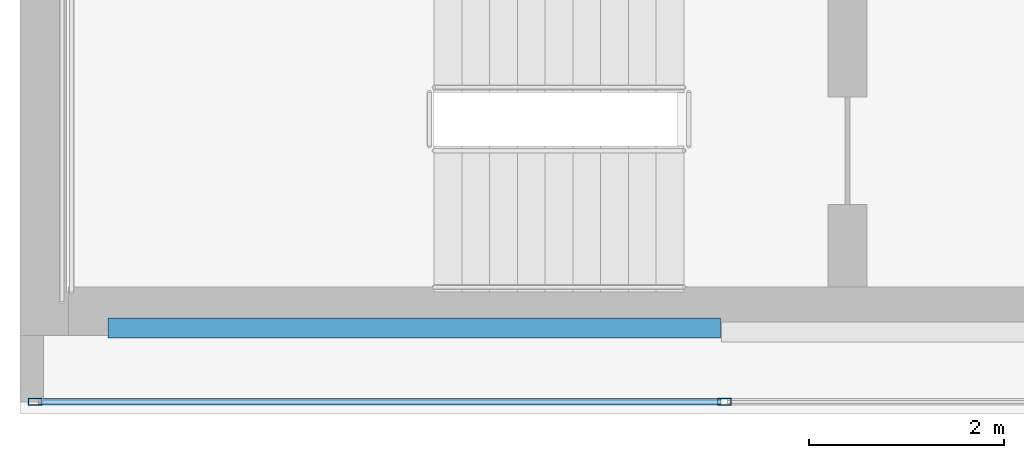
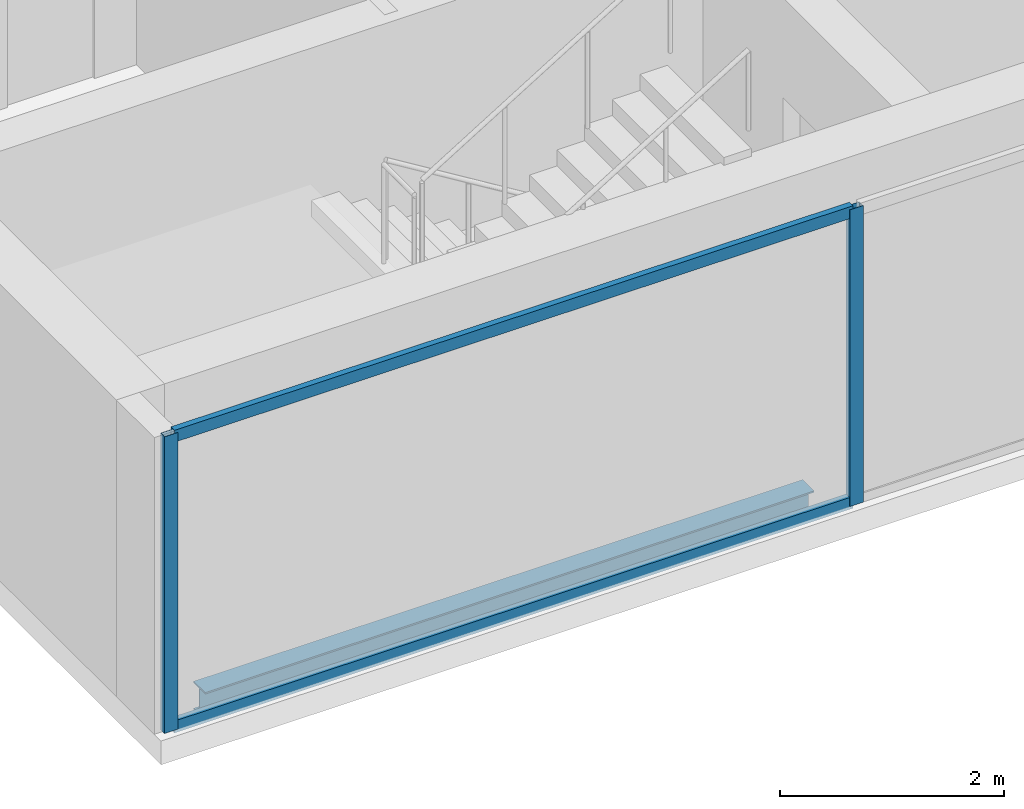
# One storey, part 2 of 23: 4 members, 1 beam, 1 element without a shape of its own.
"""IFC4 building model written with IfcOpenShell, lengths in metres."""

from ifc_helpers import new_model, si_unit, direction, frame, origin, origin_2d, place, context, subcontext, project, spatial, hollow_rectangle, i_section, extrude, material, material_profile, profile_set, type_object, element, aggregate, save


model = new_model("IFC4")

# Units and contexts
model_context = context("Model", 3, precision=1e-05, world=origin(), true_north=direction((0.0, 1.0)))
body_context = subcontext(model_context, "Body", "Model", "MODEL_VIEW")
ifc_project = project(units=[si_unit("LENGTHUNIT", "METRE"), si_unit("AREAUNIT", "SQUARE_METRE"), si_unit("VOLUMEUNIT", "CUBIC_METRE"), si_unit("PLANEANGLEUNIT", "RADIAN"), si_unit("MASSUNIT", "GRAM", prefix="KILO")], contexts=[model_context])

# Site, building, storey
site_placement = place(None, origin())
site = spatial("IfcSite", under=ifc_project, at=site_placement, CompositionType="ELEMENT")
building_placement = place(site_placement, origin())
building = spatial("IfcBuilding", under=site, at=building_placement, Name="Cobrela Telecom Tower", CompositionType="ELEMENT")
storey_placement = place(building_placement, frame((0.0, 0.0, 279.64990234375)))
storey = spatial("IfcBuildingStorey", under=building, at=storey_placement, Name="L73", CompositionType="ELEMENT", Elevation=279.64990234375)

# Beam
ifc_material_1 = material(Name="Steel ASTM A992 Grade 50", Category="steel")
ifc_material_profile_1 = material_profile(ifc_material_1, i_section(OverallWidth=0.205078125, OverallDepth=0.31005859375, WebThickness=0.009521484375, FlangeThickness=0.016357421875, FilletRadius=0.010986328125, at=origin_2d()), Name="W12X50")
ifc_profile_set_1 = profile_set([ifc_material_profile_1], Name="Steel ASTM A992 Grade 50")
beam_type = type_object("IfcBeamType", Name="BM-SPAND-07", PredefinedType="SPANDREL", material=ifc_profile_set_1)
beam_placement = place(storey_placement, frame((0.905029296875, 7.280029296875, -0.414794921875), z_axis=(1.0, 0.0, 0.0), x_axis=(0.0, 1.0, 0.0)))
element("IfcBeam", 1, at=beam_placement, inside=storey, type_object=beam_type, Name="L73 Perimeter Spandrel X01", PredefinedType="SPANDREL", context=body_context, shape_type="SweptSolid", body=[
    extrude(i_section(OverallWidth=0.205078125, OverallDepth=0.31005859375, WebThickness=0.009521484375, FlangeThickness=0.016357421875, FilletRadius=0.010986328125, at=origin_2d()), origin(), (0.0, 0.0, 1.0), 6.2900390625),
])

# Curtain wall, members
ifc_material_2 = material(Name="Anodized Bronze Aluminium 6063-T6", Category="aluminium")
curtain_wall_type = type_object("IfcCurtainWallType", Name="CW-SYS-OFF-HI", PredefinedType="USERDEFINED", material=ifc_material_2)
curtain_wall_placement = place(storey_placement, origin())
curtain_wall = element("IfcCurtainWall", 2, at=curtain_wall_placement, inside=storey, type_object=curtain_wall_type, Name="L73 Unitised Bronze Curtain Wall 15", ObjectType="UNITISED CURTAIN WALL", PredefinedType="USERDEFINED")
ifc_material_profile_2 = material_profile(ifc_material_2, hollow_rectangle(XDim=0.070068359375, YDim=0.139892578125, WallThickness=0.00390625, at=origin_2d()), Name="ALU 70x140x4")
ifc_profile_set_2 = profile_set([ifc_material_profile_2], Name="Anodized Bronze Aluminium 6063-T6")
member_type_1 = type_object("IfcMemberType", Name="CW-SYS-OFF-HI-MUL", PredefinedType="MULLION", material=ifc_profile_set_2)
member_1_placement = place(storey_placement, frame((7.235107421875, 6.52001953125, 0.0), z_axis=(0.0, 0.0, 1.0), x_axis=(0.0, -1.0, 0.0)))
member_1 = element("IfcMember", 3, at=member_1_placement, type_object=member_type_1, Name="CW-OFF-HI mullion 6", PredefinedType="MULLION", context=body_context, shape_type="SweptSolid", body=[
    extrude(hollow_rectangle(XDim=0.070068359375, YDim=0.139892578125, WallThickness=0.00390625, at=origin_2d()), origin(), (0.0, 0.0, 1.0), 3.239990234375),
])
member_2_placement = place(storey_placement, frame((0.155029296875, 6.52001953125, 0.0), z_axis=(0.0, 0.0, 1.0), x_axis=(0.0, -1.0, 0.0)))
member_2 = element("IfcMember", 4, at=member_2_placement, type_object=member_type_1, Name="CW-OFF-HI mullion 7", PredefinedType="MULLION", context=body_context, shape_type="SweptSolid", body=[
    extrude(hollow_rectangle(XDim=0.070068359375, YDim=0.139892578125, WallThickness=0.00390625, at=origin_2d()), origin(), (0.0, 0.0, 1.0), 3.239990234375),
])
ifc_material_profile_3 = material_profile(ifc_material_2, hollow_rectangle(XDim=0.06494140625, YDim=0.1298828125, WallThickness=0.00390625, at=origin_2d()), Name="ALU 65x130x4")
ifc_profile_set_3 = profile_set([ifc_material_profile_3], Name="Anodized Bronze Aluminium 6063-T6")
member_type_2 = type_object("IfcMemberType", Name="CW-SYS-OFF-HI-TRN", PredefinedType="USERDEFINED", material=ifc_profile_set_3)
member_3_placement = place(storey_placement, frame((7.199951171875, 6.52001953125, 0.03271484375), z_axis=(-1.0, 0.0, 0.0), x_axis=(0.0, -1.0, 0.0)))
member_3 = element("IfcMember", 5, at=member_3_placement, type_object=member_type_2, Name="CW-OFF-HI transom 6.1", ObjectType="TRANSOM", PredefinedType="USERDEFINED", context=body_context, shape_type="SweptSolid", body=[
    extrude(hollow_rectangle(XDim=0.06494140625, YDim=0.1298828125, WallThickness=0.00390625, at=origin_2d()), origin(), (0.0, 0.0, 1.0), 7.010009765625),
])
member_4_placement = place(storey_placement, frame((7.199951171875, 6.52001953125, 3.20751953125), z_axis=(-1.0, 0.0, 0.0), x_axis=(0.0, -1.0, 0.0)))
member_4 = element("IfcMember", 6, at=member_4_placement, type_object=member_type_2, Name="CW-OFF-HI transom 6.2", ObjectType="TRANSOM", PredefinedType="USERDEFINED", context=body_context, shape_type="SweptSolid", body=[
    extrude(hollow_rectangle(XDim=0.06494140625, YDim=0.1298828125, WallThickness=0.00390625, at=origin_2d()), origin(), (0.0, 0.0, 1.0), 7.010009765625),
])
aggregate(curtain_wall, [member_1, member_2, member_3, member_4])

save(model, "model.ifc")
